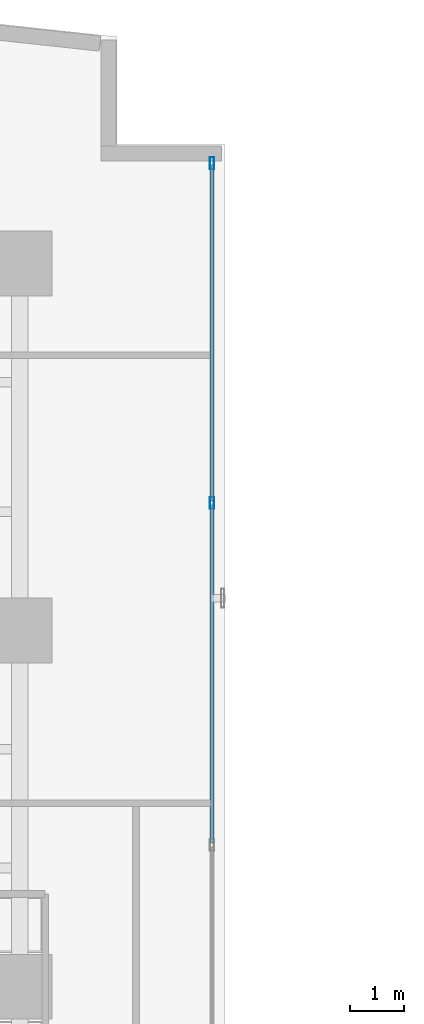
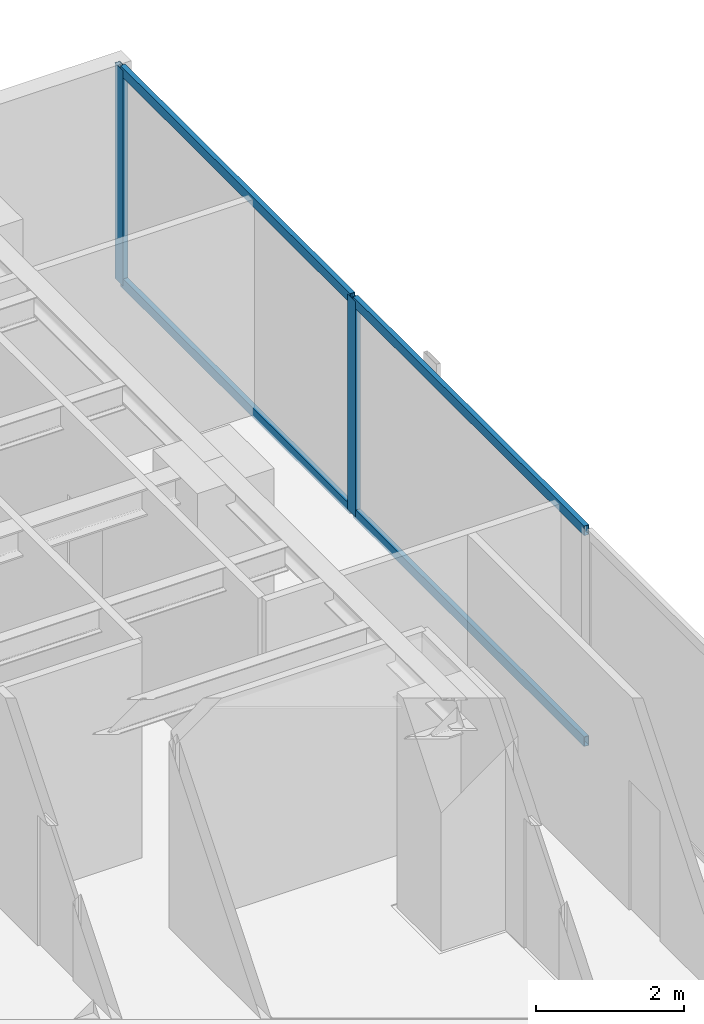
# One storey, part 17 of 26: 6 members, 1 element without a shape of its own.
"""IFC4 building model written with IfcOpenShell, lengths in metres."""

from ifc_helpers import new_model, si_unit, direction, frame, origin, origin_with_axes, origin_2d, place, context, subcontext, project, spatial, hollow_rectangle, extrude, source, transform, mapped, material, layer, layer_set, material_profile, profile_set, type_object, element, aggregate, save


model = new_model("IFC4")

# Units and contexts
model_context = context("Model", 3, precision=1e-05, world=origin(), true_north=direction((0.0, 1.0)))
body_context = subcontext(model_context, "Body", "Model", "MODEL_VIEW")
ifc_project = project(units=[si_unit("LENGTHUNIT", "METRE"), si_unit("AREAUNIT", "SQUARE_METRE"), si_unit("VOLUMEUNIT", "CUBIC_METRE"), si_unit("PLANEANGLEUNIT", "RADIAN"), si_unit("MASSUNIT", "GRAM", prefix="KILO")], contexts=[model_context])

# Site, building, storey
site_placement = place(None, origin())
site = spatial("IfcSite", under=ifc_project, at=site_placement, CompositionType="ELEMENT")
building_placement = place(site_placement, origin())
building = spatial("IfcBuilding", under=site, at=building_placement, Name="Kolvaren Waterfront Exchange", CompositionType="ELEMENT")
storey_placement = place(building_placement, frame((0.0, 0.0, 165.199951171875)))
storey = spatial("IfcBuildingStorey", under=building, at=storey_placement, Name="L42", CompositionType="ELEMENT", Elevation=165.199951171875)

# Curtain wall, members
ifc_material_1 = material(Name="Anodised bronze aluminium 6063-T6", Category="aluminium")
ifc_layer = layer(ifc_material_1, 0.219970703125, Name="Anodised bronze aluminium 6063-T6")
ifc_layer_set = layer_set([ifc_layer], Name="Anodised bronze aluminium 6063-T6")
curtain_wall_type = type_object("IfcCurtainWallType", Name="ARC-CW-SYS1", PredefinedType="USERDEFINED", material=ifc_layer_set)
curtain_wall_placement = place(storey_placement, origin())
curtain_wall = element("IfcCurtainWall", 1, at=curtain_wall_placement, inside=storey, type_object=curtain_wall_type, Name="L42 stick curtain wall CW1 (CW-L42-NE)", ObjectType="STICK CURTAIN WALL", PredefinedType="USERDEFINED")
ifc_material_2 = material(Name="Anodised aluminium 6063-T6", Category="aluminium")
ifc_material_profile_1 = material_profile(ifc_material_2, hollow_rectangle(XDim=0.080078125, YDim=0.219970703125, WallThickness=0.0048828125, at=origin_2d()), Name="ALU-MUL-220x80x5")
ifc_profile_set_1 = profile_set([ifc_material_profile_1], Name="Anodised aluminium 6063-T6")
member_type_1 = type_object("IfcMemberType", Name="ARC-CWM-220", PredefinedType="MULLION", material=ifc_profile_set_1)
shared_shape_1 = source(origin_with_axes(), body_context, "Body", "SweptSolid", [
    extrude(hollow_rectangle(XDim=0.080078125, YDim=0.219970703125, WallThickness=0.0048828125, at=origin_2d()), origin(), (0.0, 0.0, 1.0), 3.56005859375),
])
member_1_placement = place(storey_placement, frame((22.360107421875, 40.163330078125, 0.0), z_axis=(0.0, 0.0, 1.0), x_axis=(-1.0, 0.0, 0.0)))
member_1 = element("IfcMember", 2, at=member_1_placement, type_object=member_type_1, Name="CW1 mullion 3", PredefinedType="MULLION", context=body_context, shape_type="MappedRepresentation", body=[
    mapped(shared_shape_1, transform((0.0, 0.0, 0.0), x_axis=(1.0, 0.0, 0.0), y_axis=(0.0, 1.0, 0.0), z_axis=(0.0, 0.0, 1.0), scale=1.0)),
])
member_2_placement = place(storey_placement, frame((22.360107421875, 46.4599609375, 0.0), z_axis=(0.0, 0.0, 1.0), x_axis=(-1.0, 0.0, 0.0)))
member_2 = element("IfcMember", 3, at=member_2_placement, type_object=member_type_1, Name="CW1 mullion 4", PredefinedType="MULLION", context=body_context, shape_type="MappedRepresentation", body=[
    mapped(shared_shape_1, transform((0.0, 0.0, 0.0), x_axis=(1.0, 0.0, 0.0), y_axis=(0.0, 1.0, 0.0), z_axis=(0.0, 0.0, 1.0), scale=1.0)),
])
ifc_material_profile_2 = material_profile(ifc_material_2, hollow_rectangle(XDim=0.074951171875, YDim=0.159912109375, WallThickness=0.00439453125, at=origin_2d()), Name="ALU-TRN-160x75x4.5")
ifc_profile_set_2 = profile_set([ifc_material_profile_2], Name="Anodised aluminium 6063-T6")
member_type_2 = type_object("IfcMemberType", Name="ARC-CWT-160", PredefinedType="USERDEFINED", material=ifc_profile_set_2)
shared_shape_2 = source(origin_with_axes(), body_context, "Body", "SweptSolid", [
    extrude(hollow_rectangle(XDim=0.074951171875, YDim=0.159912109375, WallThickness=0.00439453125, at=origin_2d()), origin(), (0.0, 0.0, 1.0), 6.216552734375),
])
member_3_placement = place(storey_placement, frame((22.360107421875, 40.203369140625, 0.03759765625), z_axis=(0.0, 1.0, 0.0), x_axis=(-1.0, 0.0, 0.0)))
member_3 = element("IfcMember", 4, at=member_3_placement, type_object=member_type_2, Name="CW1 transom 3.1", ObjectType="TRANSOM", PredefinedType="USERDEFINED", context=body_context, shape_type="MappedRepresentation", body=[
    mapped(shared_shape_2, transform((0.0, 0.0, 0.0), x_axis=(1.0, 0.0, 0.0), y_axis=(0.0, 1.0, 0.0), z_axis=(0.0, 0.0, 1.0), scale=1.0)),
])
member_4_placement = place(storey_placement, frame((22.360107421875, 40.203369140625, 3.5224609375), z_axis=(0.0, 1.0, 0.0), x_axis=(-1.0, 0.0, 0.0)))
member_4 = element("IfcMember", 5, at=member_4_placement, type_object=member_type_2, Name="CW1 transom 3.2", ObjectType="TRANSOM", PredefinedType="USERDEFINED", context=body_context, shape_type="MappedRepresentation", body=[
    mapped(shared_shape_2, transform((0.0, 0.0, 0.0), x_axis=(1.0, 0.0, 0.0), y_axis=(0.0, 1.0, 0.0), z_axis=(0.0, 0.0, 1.0), scale=1.0)),
])
shared_shape_3 = source(origin_with_axes(), body_context, "Body", "SweptSolid", [
    extrude(hollow_rectangle(XDim=0.074951171875, YDim=0.159912109375, WallThickness=0.00439453125, at=origin_2d()), origin(), (0.0, 0.0, 1.0), 6.256591796875),
])
member_5_placement = place(storey_placement, frame((22.360107421875, 33.86669921875, 0.03759765625), z_axis=(0.0, 1.0, 0.0), x_axis=(-1.0, 0.0, 0.0)))
member_5 = element("IfcMember", 6, at=member_5_placement, type_object=member_type_2, Name="CW1 transom 2.1", ObjectType="TRANSOM", PredefinedType="USERDEFINED", context=body_context, shape_type="MappedRepresentation", body=[
    mapped(shared_shape_3, transform((0.0, 0.0, 0.0), x_axis=(1.0, 0.0, 0.0), y_axis=(0.0, 1.0, 0.0), z_axis=(0.0, 0.0, 1.0), scale=1.0)),
])
member_6_placement = place(storey_placement, frame((22.360107421875, 33.86669921875, 3.5224609375), z_axis=(0.0, 1.0, 0.0), x_axis=(-1.0, 0.0, 0.0)))
member_6 = element("IfcMember", 7, at=member_6_placement, type_object=member_type_2, Name="CW1 transom 2.2", ObjectType="TRANSOM", PredefinedType="USERDEFINED", context=body_context, shape_type="MappedRepresentation", body=[
    mapped(shared_shape_3, transform((0.0, 0.0, 0.0), x_axis=(1.0, 0.0, 0.0), y_axis=(0.0, 1.0, 0.0), z_axis=(0.0, 0.0, 1.0), scale=1.0)),
])
aggregate(curtain_wall, [member_1, member_2, member_5, member_6, member_3, member_4])

save(model, "model.ifc")
